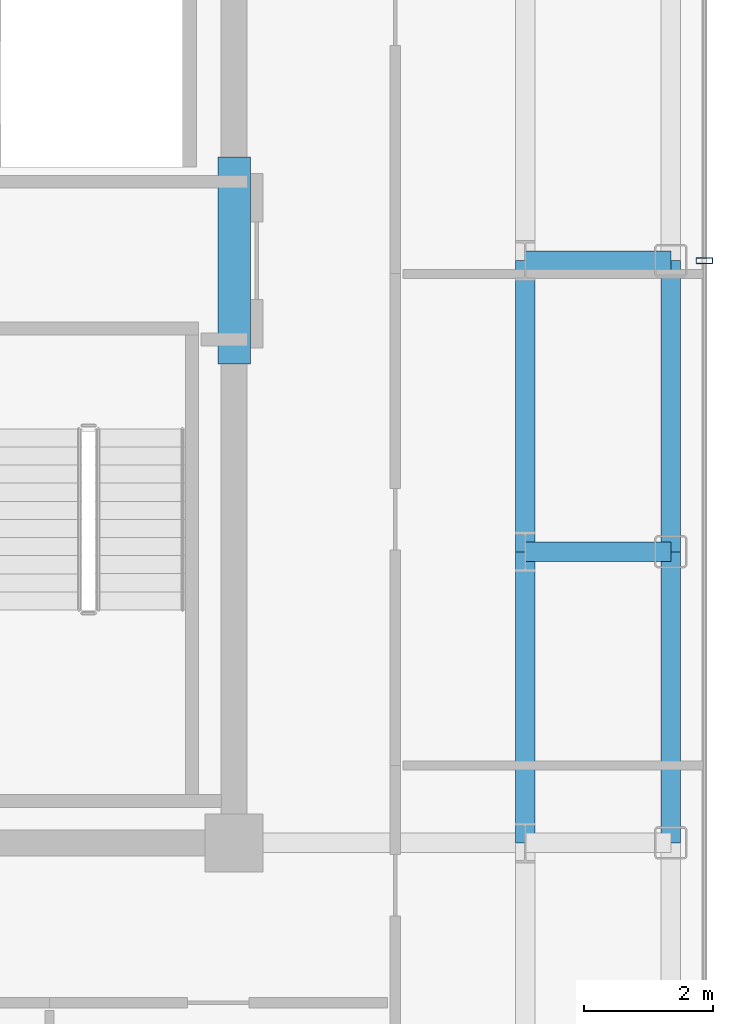
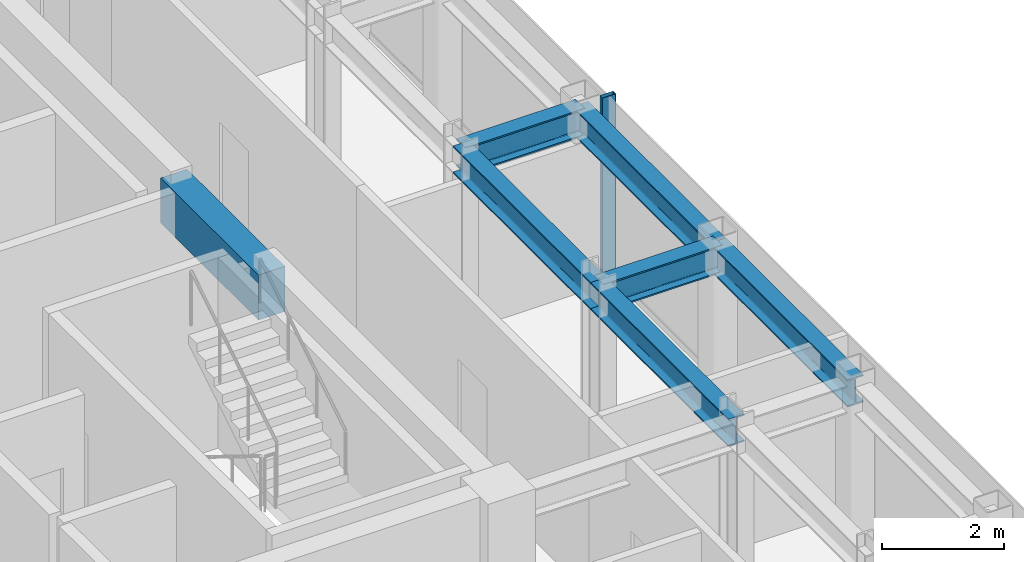
# One storey, part 7 of 17: 7 beams, 1 member, 1 element without a shape of its own.
"""IFC4 building model written with IfcOpenShell, lengths in metres."""

from ifc_helpers import new_model, si_unit, direction, frame, origin, origin_2d, place, context, subcontext, project, spatial, rectangle, hollow_rectangle, i_section, extrude, source, transform, mapped, material, layer, layer_set, material_profile, profile_set, type_object, element, aggregate, save


model = new_model("IFC4")

# Units and contexts
model_context = context("Model", 3, precision=1e-05, world=origin(), true_north=direction((0.0, 1.0)))
body_context = subcontext(model_context, "Body", "Model", "MODEL_VIEW")
ifc_project = project(units=[si_unit("LENGTHUNIT", "METRE"), si_unit("AREAUNIT", "SQUARE_METRE"), si_unit("VOLUMEUNIT", "CUBIC_METRE"), si_unit("PLANEANGLEUNIT", "RADIAN"), si_unit("MASSUNIT", "GRAM", prefix="KILO")], contexts=[model_context])

# Site, building, storey
site_placement = place(None, origin())
site = spatial("IfcSite", under=ifc_project, at=site_placement, CompositionType="ELEMENT")
building_placement = place(site_placement, origin())
building = spatial("IfcBuilding", under=site, at=building_placement, Name="Nefas-Gora Pilgrimage Tower", CompositionType="ELEMENT")
storey_placement = place(building_placement, frame((0.0, 0.0, 341.39990234375)))
storey = spatial("IfcBuildingStorey", under=building, at=storey_placement, Name="L86", CompositionType="ELEMENT", Elevation=341.39990234375)

# Beams
ifc_material_1 = material(Name="Concrete C50/60", Category="concrete")
ifc_material_profile_1 = material_profile(ifc_material_1, rectangle(XDim=0.5, YDim=0.89990234375, at=origin_2d()), Name="RC 500x900")
ifc_profile_set_1 = profile_set([ifc_material_profile_1], Name="Concrete C50/60")
beam_type_1 = type_object("IfcBeamType", Name="BM-LIN-RC900", PredefinedType="LINTEL", material=ifc_profile_set_1)
shared_shape_1 = source(origin(), body_context, "Body", "SweptSolid", [
    extrude(rectangle(XDim=0.5, YDim=0.89990234375, at=origin_2d()), origin(), (0.0, 0.0, 1.0), 3.2001953125),
])
beam_placement = place(storey_placement, frame((11.25, -1.60009765625, 3.10009765625), z_axis=(0.0, 1.0, 0.0), x_axis=(-1.0, 0.0, 0.0)))
element("IfcBeam", 1, at=beam_placement, inside=storey, type_object=beam_type_1, Name="L86 Core Coupling Lintel Beam E", PredefinedType="LINTEL", context=body_context, shape_type="MappedRepresentation", body=[
    mapped(shared_shape_1, transform((0.0, 0.0, 0.0), x_axis=(1.0, 0.0, 0.0), y_axis=(0.0, 1.0, 0.0), z_axis=(0.0, 0.0, 1.0), scale=1.0)),
])
ifc_material_2 = material(Name="Steel S355", Category="steel")
ifc_material_profile_2 = material_profile(ifc_material_2, i_section(OverallWidth=0.300048828125, OverallDepth=0.550048828125, WebThickness=0.014892578125, FlangeThickness=0.029052734375, FilletRadius=0.027099609375, at=origin_2d()), Name="HEB 550")
ifc_profile_set_2 = profile_set([ifc_material_profile_2], Name="Steel S355")
beam_type_2 = type_object("IfcBeamType", Name="BM-SPN-HEB400", PredefinedType="SPANDREL", material=ifc_profile_set_2)
shared_shape_2 = source(origin(), body_context, "Body", "SweptSolid", [
    extrude(i_section(OverallWidth=0.300048828125, OverallDepth=0.550048828125, WebThickness=0.014892578125, FlangeThickness=0.029052734375, FilletRadius=0.027099609375, at=origin_2d()), origin(), (0.0, 0.0, 1.0), 4.5),
])
for number, where, z_axis, x_axis, name in (
    (2, (18.0, -9.0, 3.275146484375), (0.0, 1.0, 0.0), (-1.0, 0.0, 0.0), "L86 SP-04 beam"),
    (3, (18.0, -4.5, 3.275146484375), (0.0, 1.0, 0.0), (-1.0, 0.0, 0.0), "L86 SP-04 beam"),
):
    element("IfcBeam", number, at=place(storey_placement, frame(where, z_axis=z_axis, x_axis=x_axis)), inside=storey, type_object=beam_type_2, Name=name, PredefinedType="SPANDREL", context=body_context, shape_type="MappedRepresentation", body=[
        mapped(shared_shape_2, transform((0.0, 0.0, 0.0), x_axis=(1.0, 0.0, 0.0), y_axis=(0.0, 1.0, 0.0), z_axis=(0.0, 0.0, 1.0), scale=1.0)),
    ])
ifc_material_profile_3 = material_profile(ifc_material_2, i_section(OverallWidth=0.300048828125, OverallDepth=0.550048828125, WebThickness=0.014892578125, FlangeThickness=0.029052734375, FilletRadius=0.027099609375, at=origin_2d()), Name="HEB 550")
ifc_profile_set_3 = profile_set([ifc_material_profile_3], Name="Steel S355")
beam_type_3 = type_object("IfcBeamType", Name="BM-GIR-HEB550", PredefinedType="BEAM", material=ifc_profile_set_3)
shared_shape_3 = source(origin(), body_context, "Body", "SweptSolid", [
    extrude(i_section(OverallWidth=0.300048828125, OverallDepth=0.550048828125, WebThickness=0.014892578125, FlangeThickness=0.029052734375, FilletRadius=0.027099609375, at=origin_2d()), origin(), (0.0, 0.0, 1.0), 4.5),
])
for number, where, z_axis, x_axis, name in (
    (4, (15.75, -9.0, 3.275146484375), (0.0, 1.0, 0.0), (-1.0, 0.0, 0.0), "L86 G-05 beam"),
    (5, (15.75, -4.5, 3.275146484375), (0.0, 1.0, 0.0), (-1.0, 0.0, 0.0), "L86 G-05 beam"),
):
    element("IfcBeam", number, at=place(storey_placement, frame(where, z_axis=z_axis, x_axis=x_axis)), inside=storey, type_object=beam_type_3, Name=name, PredefinedType="BEAM", context=body_context, shape_type="MappedRepresentation", body=[
        mapped(shared_shape_3, transform((0.0, 0.0, 0.0), x_axis=(1.0, 0.0, 0.0), y_axis=(0.0, 1.0, 0.0), z_axis=(0.0, 0.0, 1.0), scale=1.0)),
    ])
shared_shape_4 = source(origin(), body_context, "Body", "SweptSolid", [
    extrude(i_section(OverallWidth=0.300048828125, OverallDepth=0.550048828125, WebThickness=0.014892578125, FlangeThickness=0.029052734375, FilletRadius=0.027099609375, at=origin_2d()), origin(), (0.0, 0.0, 1.0), 2.25),
])
for number, where, z_axis, x_axis, name in (
    (6, (15.75, -4.5, 3.275146484375), (1.0, 0.0, 0.0), (0.0, 1.0, 0.0), "L86 G-05 beam"),
    (7, (15.75, 0.0, 3.275146484375), (1.0, 0.0, 0.0), (0.0, 1.0, 0.0), "L86 G-05 beam"),
):
    element("IfcBeam", number, at=place(storey_placement, frame(where, z_axis=z_axis, x_axis=x_axis)), inside=storey, type_object=beam_type_3, Name=name, PredefinedType="BEAM", context=body_context, shape_type="MappedRepresentation", body=[
        mapped(shared_shape_4, transform((0.0, 0.0, 0.0), x_axis=(1.0, 0.0, 0.0), y_axis=(0.0, 1.0, 0.0), z_axis=(0.0, 0.0, 1.0), scale=1.0)),
    ])

# Curtain wall, member
ifc_material_3 = material(Name="Dark ceramic-fritted solar-control aluminium-glass curtain wall", Category="aluminium")
ifc_layer = layer(ifc_material_3, 0.219970703125)
ifc_layer_set = layer_set([ifc_layer], Name="Dark ceramic-fritted solar-control aluminium-glass curtain wall")
curtain_wall_type = type_object("IfcCurtainWallType", Name="CW-SYS-4", PredefinedType="NOTDEFINED", material=ifc_layer_set)
curtain_wall_placement = place(storey_placement, origin())
curtain_wall = element("IfcCurtainWall", 8, at=curtain_wall_placement, inside=storey, type_object=curtain_wall_type, Name="L86 Unitised Curtain Wall CW4", PredefinedType="NOTDEFINED")
ifc_material_4 = material(Name="Anodised architectural aluminium", Category="aluminium")
ifc_material_profile_4 = material_profile(ifc_material_4, hollow_rectangle(XDim=0.090087890625, YDim=0.260009765625, WallThickness=0.006103515625, InnerFilletRadius=0.006103515625, OuterFilletRadius=0.011962890625, at=origin_2d()), Name="ALU MULLION 90x260")
ifc_profile_set_4 = profile_set([ifc_material_profile_4], Name="Anodised architectural aluminium")
member_type = type_object("IfcMemberType", Name="CWM-MUL-4", PredefinedType="MULLION", material=ifc_profile_set_4)
shared_shape_5 = source(origin(), body_context, "Body", "SweptSolid", [
    extrude(hollow_rectangle(XDim=0.090087890625, YDim=0.260009765625, WallThickness=0.006103515625, InnerFilletRadius=0.006103515625, OuterFilletRadius=0.011962890625, at=origin_2d()), origin(), (0.0, 0.0, 1.0), 3.550048828125),
])
member_placement = place(storey_placement, frame((18.52001953125, 0.0, 0.0), z_axis=(0.0, 0.0, 1.0), x_axis=(0.0, 1.0, 0.0)))
member = element("IfcMember", 9, at=member_placement, type_object=member_type, Name="CW4 Mullion 2", PredefinedType="MULLION", context=body_context, shape_type="MappedRepresentation", body=[
    mapped(shared_shape_5, transform((0.0, 0.0, 0.0), x_axis=(1.0, 0.0, 0.0), y_axis=(0.0, 1.0, 0.0), z_axis=(0.0, 0.0, 1.0), scale=1.0)),
])
aggregate(curtain_wall, [member])

save(model, "model.ifc")
